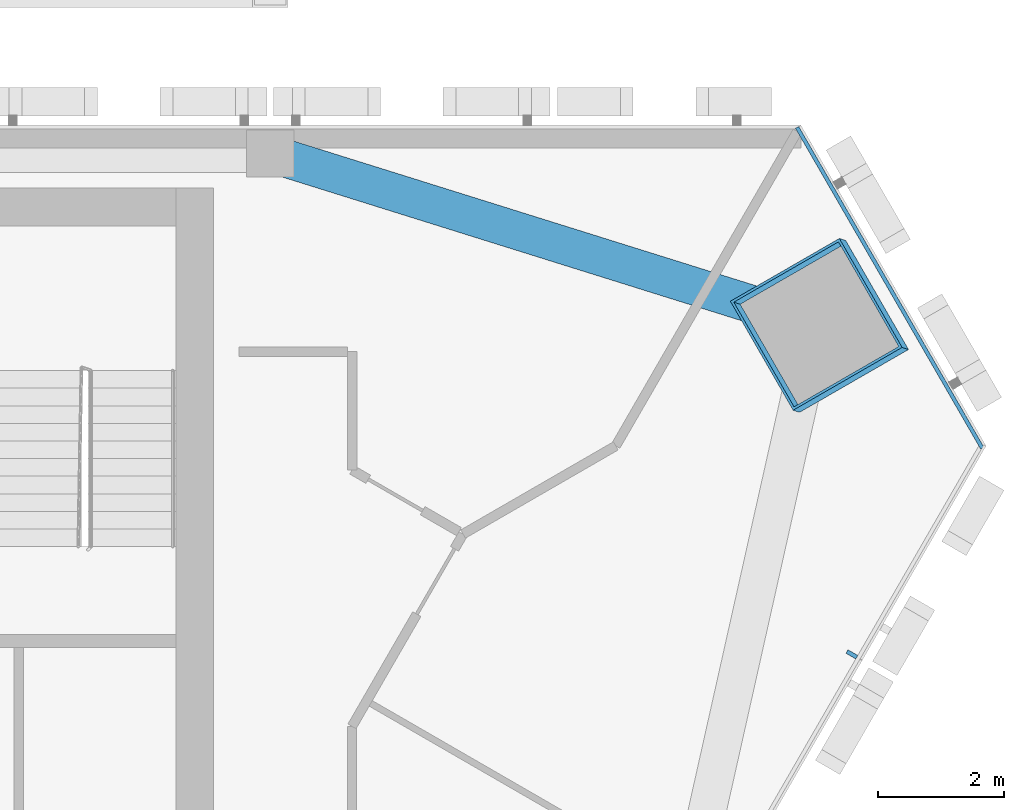
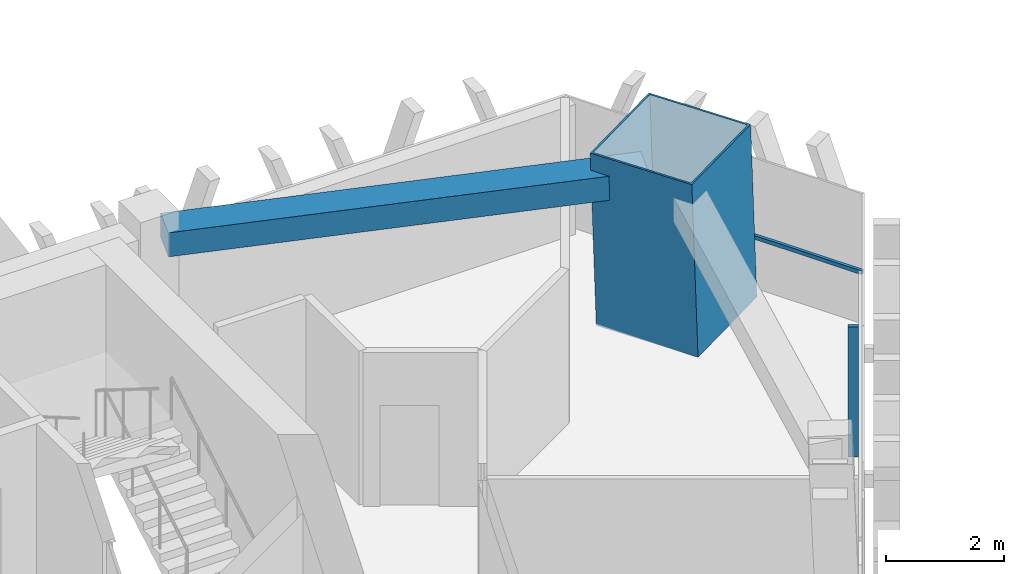
# One storey, part 14 of 22: 3 members, 1 beam, 2 elements without a shape of their own.
"""IFC4 building model written with IfcOpenShell, lengths in metres."""

from ifc_helpers import new_model, si_unit, direction, frame, origin, origin_2d, place, context, subcontext, project, spatial, rectangle, hollow_rectangle, extrude, material, layer, layer_set, material_profile, profile_set, type_object, element, aggregate, save


model = new_model("IFC4")

# Units and contexts
model_context = context("Model", 3, precision=1e-05, world=origin(), true_north=direction((0.0, 1.0)))
body_context = subcontext(model_context, "Body", "Model", "MODEL_VIEW")
ifc_project = project(units=[si_unit("LENGTHUNIT", "METRE"), si_unit("AREAUNIT", "SQUARE_METRE"), si_unit("VOLUMEUNIT", "CUBIC_METRE"), si_unit("PLANEANGLEUNIT", "RADIAN"), si_unit("MASSUNIT", "GRAM", prefix="KILO")], contexts=[model_context])

# Site, building, storey
site_placement = place(None, origin())
site = spatial("IfcSite", under=ifc_project, at=site_placement, CompositionType="ELEMENT")
building_placement = place(site_placement, origin())
building = spatial("IfcBuilding", under=site, at=building_placement, Name="Altiplano Prism Tower", CompositionType="ELEMENT")
storey_placement = place(building_placement, frame((0.0, 0.0, 219.39990234375)))
storey = spatial("IfcBuildingStorey", under=building, at=storey_placement, Name="L56", CompositionType="ELEMENT", Elevation=219.39990234375)

# Curtain wall, member
ifc_material_1 = material(Name="Aluminium and glass", Category="aluminium")
ifc_layer = layer(ifc_material_1, 0.280029296875)
ifc_layer_set = layer_set([ifc_layer], Name="Aluminium and glass")
curtain_wall_type = type_object("IfcCurtainWallType", Name="CW1 typical co-living unitised curtain wall", PredefinedType="NOTDEFINED", material=ifc_layer_set)
curtain_wall_1_placement = place(storey_placement, origin())
curtain_wall_1 = element("IfcCurtainWall", 1, at=curtain_wall_1_placement, inside=storey, type_object=curtain_wall_type, Name="CW1 curtain wall south-east face L56", PredefinedType="NOTDEFINED")
ifc_material_2 = material(Name="Aluminium", Category="aluminium")
ifc_material_profile_1 = material_profile(ifc_material_2, rectangle(XDim=0.179931640625, YDim=0.06494140625, at=origin_2d()), Name="CW1 mullion 65 x 180")
ifc_profile_set_1 = profile_set([ifc_material_profile_1], Name="Aluminium")
member_type_1 = type_object("IfcMemberType", Name="CW1 mullion 65 x 180", PredefinedType="MULLION", material=ifc_profile_set_1)
member_1_placement = place(storey_placement, frame((107.7470703125, 96.587890625, 0.0), z_axis=(0.0, 0.0, 1.0), x_axis=(-0.866025415356, 0.499999979958, 0.0)))
member_1 = element("IfcMember", 2, at=member_1_placement, type_object=member_type_1, Name="CW1 mullion", PredefinedType="MULLION", context=body_context, shape_type="SweptSolid", body=[
    extrude(rectangle(XDim=0.179931640625, YDim=0.06494140625, at=origin_2d()), origin(), (0.0, 0.0, 1.0), 2.7001953125),
])
aggregate(curtain_wall_1, [member_1])

curtain_wall_2_placement = place(storey_placement, origin())
curtain_wall_2 = element("IfcCurtainWall", 3, at=curtain_wall_2_placement, inside=storey, type_object=curtain_wall_type, Name="CW1 curtain wall north-east chamfer L56", PredefinedType="NOTDEFINED")
ifc_material_profile_2 = material_profile(ifc_material_2, rectangle(XDim=0.06005859375, YDim=0.080078125, at=origin_2d()), Name="CW1 transom 80 x 60")
ifc_profile_set_2 = profile_set([ifc_material_profile_2], Name="Aluminium")
member_type_2 = type_object("IfcMemberType", Name="CW1 transom 80 x 60", PredefinedType="USERDEFINED", material=ifc_profile_set_2)
member_2_placement = place(storey_placement, frame((109.8193359375, 99.8671875, 1.10009765625), z_axis=(-0.500010856691, 0.86601913558, 0.0), x_axis=(-0.86601913558, -0.500010856691, 0.0)))
member_2 = element("IfcMember", 4, at=member_2_placement, type_object=member_type_2, Name="CW1 transom", ObjectType="TRANSOM", PredefinedType="USERDEFINED", context=body_context, shape_type="SweptSolid", body=[
    extrude(rectangle(XDim=0.06005859375, YDim=0.080078125, at=origin_2d()), origin(), (0.0, 0.0, 1.0), 5.886474609375),
])
aggregate(curtain_wall_2, [member_2])

# Beam
ifc_material_3 = material(Name="Concrete C60/75", Category="concrete")
ifc_material_profile_3 = material_profile(ifc_material_3, rectangle(XDim=0.60009765625, YDim=0.5, at=origin_2d()), Name="Edge beam 600x500")
ifc_profile_set_3 = profile_set([ifc_material_profile_3], Name="Concrete C60/75")
beam_type = type_object("IfcBeamType", Name="Edge beam 600x500", PredefinedType="SPANDREL", material=ifc_profile_set_3)
beam_placement = place(storey_placement, frame((106.750732421875, 101.96875, 2.9501953125), z_axis=(-0.954384455077, 0.298580494853, 0.0), x_axis=(-0.298580494853, -0.954384455077, 0.0)))
element("IfcBeam", 5, at=beam_placement, inside=storey, type_object=beam_type, Name="Edge beam M2-P01 L57", PredefinedType="SPANDREL", context=body_context, shape_type="SweptSolid", body=[
    extrude(rectangle(XDim=0.60009765625, YDim=0.5, at=origin_2d()), origin(), (0.0, 0.0, 1.0), 8.3720703125),
])

# Member
ifc_material_4 = material(Name="Steel S460", Category="steel")
ifc_material_profile_4 = material_profile(ifc_material_4, hollow_rectangle(XDim=2.0, YDim=2.0, WallThickness=0.0400390625, at=origin_2d()), Name="Mega column tube 2000")
ifc_profile_set_4 = profile_set([ifc_material_profile_4], Name="Steel S460")
member_type_3 = type_object("IfcMemberType", Name="Mega column tube 2000", PredefinedType="POST", material=ifc_profile_set_4)
member_3_placement = place(storey_placement, frame((107.282470703125, 101.801025390625, 0.0), z_axis=(-0.028401796786, 0.009286506348, 0.999553449666), x_axis=(0.49888378352, -0.866383880746, 0.022224799739)))
element("IfcMember", 6, at=member_3_placement, inside=storey, type_object=member_type_3, Name="Mega column tube M2 L56", PredefinedType="POST", context=body_context, shape_type="SweptSolid", body=[
    extrude(hollow_rectangle(XDim=2.0, YDim=2.0, WallThickness=0.0400390625, at=origin_2d()), origin(), (0.0, 0.0, 1.0), 3.601806640625),
])

save(model, "model.ifc")
